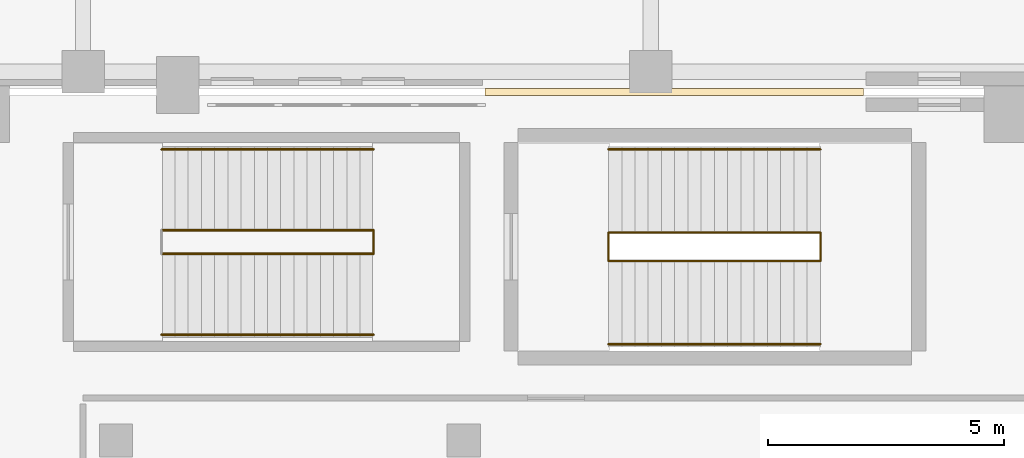
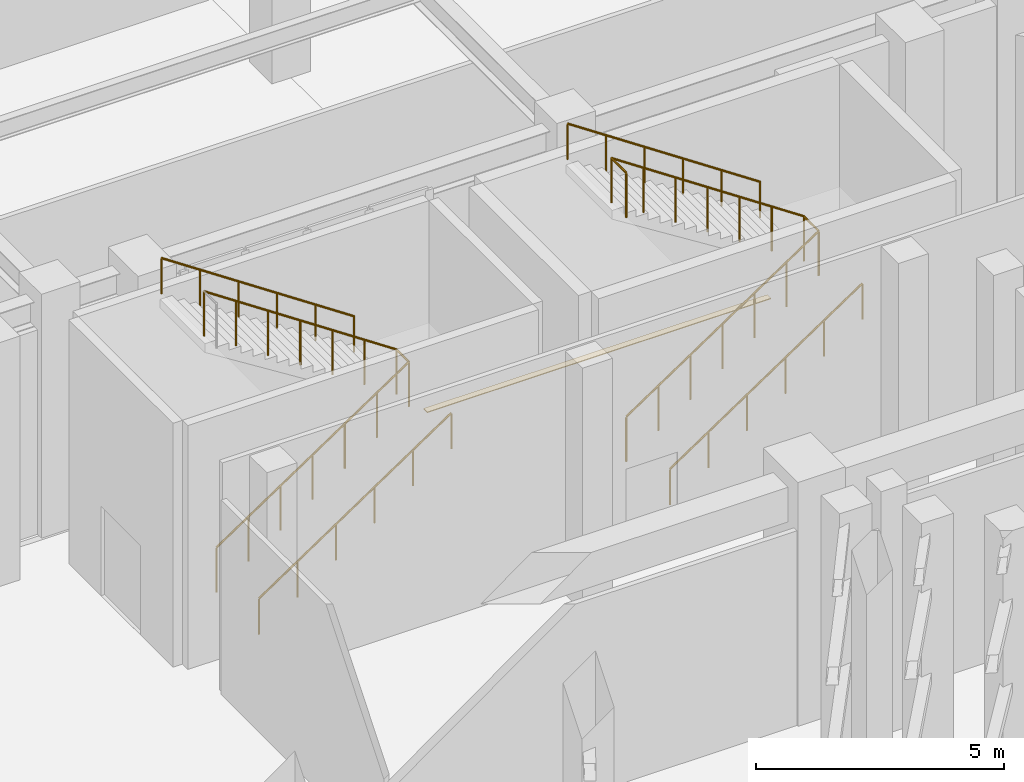
# One storey, part 136 of 143: 7 railings, 1 covering.
"""IFC4 building model written with IfcOpenShell, lengths in metres."""

from ifc_helpers import new_model, si_unit, derived_unit, direction, frame, origin, origin_2d, place, context, subcontext, project, spatial, polyline, circle, outline, extrude, material, layer, layer_set, type_object, element, save


model = new_model("IFC4")

# Units and contexts
model_context = context("Model", 3, precision=1e-05, world=origin(), true_north=direction((0.0, 1.0)))
body_context = subcontext(model_context, "Body", "Model", "MODEL_VIEW")
ifc_project = project(units=[si_unit("LENGTHUNIT", "METRE"), si_unit("AREAUNIT", "SQUARE_METRE"), si_unit("VOLUMEUNIT", "CUBIC_METRE"), si_unit("PLANEANGLEUNIT", "RADIAN"), si_unit("MASSUNIT", "GRAM", prefix="KILO"), derived_unit("THERMALTRANSMITTANCEUNIT", [(si_unit("MASSUNIT", "GRAM", prefix="KILO"), 1), (si_unit("TIMEUNIT", "SECOND"), -3), (si_unit("THERMODYNAMICTEMPERATUREUNIT", "KELVIN"), -1)])], contexts=[model_context])

# Site, building, storey
site_placement = place(None, origin())
site = spatial("IfcSite", under=ifc_project, at=site_placement, CompositionType="ELEMENT")
building_placement = place(site_placement, origin())
building = spatial("IfcBuilding", under=site, at=building_placement, Name="Valcora Ridge Arena", CompositionType="ELEMENT")
storey_placement = place(building_placement, origin())
storey = spatial("IfcBuildingStorey", under=building, at=storey_placement, Name="L00", CompositionType="ELEMENT", Elevation=0.0)

# Covering
ifc_material_1 = material(Name="Steel ASTM A572 Grade 50", Category="steel")
ifc_layer = layer(ifc_material_1, 0.02001953125, Name="Steel ASTM A572 Grade 50")
ifc_layer_set = layer_set([ifc_layer], Name="Steel ASTM A572 Grade 50")
covering_type = type_object("IfcCoveringType", Name="TY-COVERING-COV-SJ-150", PredefinedType="FLOORING", material=ifc_layer_set)
covering_placement = place(storey_placement, frame((0.0, 0.0, -0.02001953125)))
element("IfcCovering", 1, at=covering_placement, inside=storey, type_object=covering_type, Name="COV-SJ-150 COV-SJ-0019", PredefinedType="FLOORING", context=body_context, shape_type="SweptSolid", body=[
    extrude(outline(polyline([(80.5, 108.199951171875), (88.5, 108.199951171875), (88.5, 108.35009765625), (80.5, 108.35009765625), (80.5, 108.199951171875)])), origin(), (0.0, 0.0, 1.0), 0.02001953125),
])

# Railings
ifc_material_2 = material(Name="Galvanized painted steel ASTM A500 Grade B", Category="steel")
railing_type_1 = type_object("IfcRailingType", Name="TY-RAILING-GRD-STAIR-1120", PredefinedType="GUARDRAIL", material=ifc_material_2)
railing_1_placement = place(storey_placement, frame((83.110107421875, 104.699951171875, 0.0)))
element("IfcRailing", 2, at=railing_1_placement, inside=storey, type_object=railing_type_1, Name="GRD-STAIR-1120 RAL-SG-0037", PredefinedType="GUARDRAIL", context=body_context, shape_type="SweptSolid", body=[
    extrude(circle(Radius=0.02392578125, at=origin_2d()), frame((0.0, 0.0, 1.09619140625), z_axis=(0.830906055479, 0.0, 0.556412730775), x_axis=(0.0, 1.0, 0.0)), (0.0, 0.0, 1.0), 5.3916015625),
    extrude(circle(Radius=0.02392578125, at=origin_2d()), frame((4.47998046875, 0.0, 4.09619140625), z_axis=(0.0, 1.0, 0.0), x_axis=(-1.0, 0.0, 0.0)), (0.0, 0.0, 1.0), 0.60009765625),
    extrude(circle(Radius=0.02392578125, at=origin_2d()), frame((4.47998046875, 0.60009765625, 4.09619140625), z_axis=(-0.830906055479, 0.0, 0.556412730775), x_axis=(0.0, -1.0, 0.0)), (0.0, 0.0, 1.0), 5.3916015625),
    extrude(circle(Radius=0.02099609375, at=origin_2d()), origin(), (0.0, 0.0, 1.0), 1.072021484375),
    extrude(circle(Radius=0.02099609375, at=origin_2d()), frame((0.74658203125, 0.0, 0.5)), (0.0, 0.0, 1.0), 1.072021484375),
    extrude(circle(Radius=0.02099609375, at=origin_2d()), frame((1.493408203125, 0.0, 1.0)), (0.0, 0.0, 1.0), 1.072021484375),
    extrude(circle(Radius=0.02099609375, at=origin_2d()), frame((2.239990234375, 0.0, 1.5)), (0.0, 0.0, 1.0), 1.072021484375),
    extrude(circle(Radius=0.02099609375, at=origin_2d()), frame((2.986572265625, 0.0, 2.0)), (0.0, 0.0, 1.0), 1.072021484375),
    extrude(circle(Radius=0.02099609375, at=origin_2d()), frame((3.7333984375, 0.0, 2.5)), (0.0, 0.0, 1.0), 1.072021484375),
    extrude(circle(Radius=0.02099609375, at=origin_2d()), frame((4.47998046875, 0.0, 3.0)), (0.0, 0.0, 1.0), 1.072021484375),
    extrude(circle(Radius=0.02099609375, at=origin_2d()), frame((4.47998046875, 0.60009765625, 3.0)), (0.0, 0.0, 1.0), 1.072021484375),
    extrude(circle(Radius=0.02099609375, at=origin_2d()), frame((3.7333984375, 0.60009765625, 3.5)), (0.0, 0.0, 1.0), 1.072021484375),
    extrude(circle(Radius=0.02099609375, at=origin_2d()), frame((2.986572265625, 0.60009765625, 4.0)), (0.0, 0.0, 1.0), 1.072021484375),
    extrude(circle(Radius=0.02099609375, at=origin_2d()), frame((2.239990234375, 0.60009765625, 4.5)), (0.0, 0.0, 1.0), 1.072021484375),
    extrude(circle(Radius=0.02099609375, at=origin_2d()), frame((1.493408203125, 0.60009765625, 5.0)), (0.0, 0.0, 1.0), 1.072021484375),
    extrude(circle(Radius=0.02099609375, at=origin_2d()), frame((0.74658203125, 0.60009765625, 5.5)), (0.0, 0.0, 1.0), 1.072021484375),
    extrude(circle(Radius=0.02099609375, at=origin_2d()), frame((0.0, 0.60009765625, 6.0)), (0.0, 0.0, 1.0), 1.072021484375),
])
railing_2_placement = place(storey_placement, frame((83.110107421875, 104.699951171875, 6.0)))
element("IfcRailing", 3, at=railing_2_placement, inside=storey, type_object=railing_type_1, Name="GRD-STAIR-1120 RAL-SG-0038", PredefinedType="GUARDRAIL", context=body_context, shape_type="SweptSolid", body=[
    extrude(circle(Radius=0.02392578125, at=origin_2d()), frame((0.0, 0.0, 1.09619140625), z_axis=(0.0, 1.0, 0.0), x_axis=(-1.0, 0.0, 0.0)), (0.0, 0.0, 1.0), 0.60009765625),
    extrude(circle(Radius=0.02099609375, at=origin_2d()), origin(), (0.0, 0.0, 1.0), 1.072021484375),
    extrude(circle(Radius=0.02099609375, at=origin_2d()), frame((0.0, 0.60009765625, 0.0)), (0.0, 0.0, 1.0), 1.072021484375),
])
railing_3_placement = place(storey_placement, frame((73.659912109375, 104.85009765625, 0.0)))
element("IfcRailing", 4, at=railing_3_placement, inside=storey, type_object=railing_type_1, Name="GRD-STAIR-1120 RAL-SG-0121", PredefinedType="GUARDRAIL", context=body_context, shape_type="SweptSolid", body=[
    extrude(circle(Radius=0.02392578125, at=origin_2d()), frame((0.0, 0.0, 1.09619140625), z_axis=(0.830906055479, 0.0, 0.556412730775), x_axis=(0.0, 1.0, 0.0)), (0.0, 0.0, 1.0), 5.3916015625),
    extrude(circle(Radius=0.02392578125, at=origin_2d()), frame((4.47998046875, 0.0, 4.09619140625), z_axis=(0.0, 1.0, 0.0), x_axis=(-1.0, 0.0, 0.0)), (0.0, 0.0, 1.0), 0.5),
    extrude(circle(Radius=0.02392578125, at=origin_2d()), frame((4.47998046875, 0.5, 4.09619140625), z_axis=(-0.830906055479, 0.0, 0.556412730775), x_axis=(0.0, -1.0, 0.0)), (0.0, 0.0, 1.0), 5.3916015625),
    extrude(circle(Radius=0.02099609375, at=origin_2d()), origin(), (0.0, 0.0, 1.0), 1.072021484375),
    extrude(circle(Radius=0.02099609375, at=origin_2d()), frame((0.74658203125, 0.0, 0.5)), (0.0, 0.0, 1.0), 1.072021484375),
    extrude(circle(Radius=0.02099609375, at=origin_2d()), frame((1.493408203125, 0.0, 1.0)), (0.0, 0.0, 1.0), 1.072021484375),
    extrude(circle(Radius=0.02099609375, at=origin_2d()), frame((2.239990234375, 0.0, 1.5)), (0.0, 0.0, 1.0), 1.072021484375),
    extrude(circle(Radius=0.02099609375, at=origin_2d()), frame((2.986572265625, 0.0, 2.0)), (0.0, 0.0, 1.0), 1.072021484375),
    extrude(circle(Radius=0.02099609375, at=origin_2d()), frame((3.7333984375, 0.0, 2.5)), (0.0, 0.0, 1.0), 1.072021484375),
    extrude(circle(Radius=0.02099609375, at=origin_2d()), frame((4.47998046875, 0.0, 3.0)), (0.0, 0.0, 1.0), 1.072021484375),
    extrude(circle(Radius=0.02099609375, at=origin_2d()), frame((4.47998046875, 0.5, 3.0)), (0.0, 0.0, 1.0), 1.072021484375),
    extrude(circle(Radius=0.02099609375, at=origin_2d()), frame((3.7333984375, 0.5, 3.5)), (0.0, 0.0, 1.0), 1.072021484375),
    extrude(circle(Radius=0.02099609375, at=origin_2d()), frame((2.986572265625, 0.5, 4.0)), (0.0, 0.0, 1.0), 1.072021484375),
    extrude(circle(Radius=0.02099609375, at=origin_2d()), frame((2.239990234375, 0.5, 4.5)), (0.0, 0.0, 1.0), 1.072021484375),
    extrude(circle(Radius=0.02099609375, at=origin_2d()), frame((1.493408203125, 0.5, 5.0)), (0.0, 0.0, 1.0), 1.072021484375),
    extrude(circle(Radius=0.02099609375, at=origin_2d()), frame((0.74658203125, 0.5, 5.5)), (0.0, 0.0, 1.0), 1.072021484375),
    extrude(circle(Radius=0.02099609375, at=origin_2d()), frame((0.0, 0.5, 6.0)), (0.0, 0.0, 1.0), 1.072021484375),
])
railing_type_2 = type_object("IfcRailingType", Name="TY-RAILING-HR-STAIR-900", PredefinedType="HANDRAIL", material=ifc_material_2)
railing_4_placement = place(storey_placement, frame((83.110107421875, 102.93994140625, 0.0)))
element("IfcRailing", 5, at=railing_4_placement, inside=storey, type_object=railing_type_2, Name="HR-STAIR-900 RAL-SH-0037", PredefinedType="HANDRAIL", context=body_context, shape_type="SweptSolid", body=[
    extrude(circle(Radius=0.02392578125, at=origin_2d()), frame((0.0, 0.0, 0.8759765625), z_axis=(0.830906055479, 0.0, 0.556412730775), x_axis=(0.0, 1.0, 0.0)), (0.0, 0.0, 1.0), 5.3916015625),
    extrude(circle(Radius=0.02099609375, at=origin_2d()), origin(), (0.0, 0.0, 1.0), 0.851806640625),
    extrude(circle(Radius=0.02099609375, at=origin_2d()), frame((0.89599609375, 0.0, 0.60009765625)), (0.0, 0.0, 1.0), 0.851806640625),
    extrude(circle(Radius=0.02099609375, at=origin_2d()), frame((1.7919921875, 0.0, 1.199951171875)), (0.0, 0.0, 1.0), 0.851806640625),
    extrude(circle(Radius=0.02099609375, at=origin_2d()), frame((2.68798828125, 0.0, 1.800048828125)), (0.0, 0.0, 1.0), 0.851806640625),
    extrude(circle(Radius=0.02099609375, at=origin_2d()), frame((3.583984375, 0.0, 2.39990234375)), (0.0, 0.0, 1.0), 0.851806640625),
    extrude(circle(Radius=0.02099609375, at=origin_2d()), frame((4.47998046875, 0.0, 3.0)), (0.0, 0.0, 1.0), 0.851806640625),
])
railing_5_placement = place(storey_placement, frame((87.590087890625, 107.06005859375, 3.0)))
element("IfcRailing", 6, at=railing_5_placement, inside=storey, type_object=railing_type_2, Name="HR-STAIR-900 RAL-SH-0038", PredefinedType="HANDRAIL", context=body_context, shape_type="SweptSolid", body=[
    extrude(circle(Radius=0.02392578125, at=origin_2d()), frame((0.0, 0.0, 0.8759765625), z_axis=(-0.830906055479, 0.0, 0.556412730775), x_axis=(0.0, -1.0, 0.0)), (0.0, 0.0, 1.0), 5.3916015625),
    extrude(circle(Radius=0.02099609375, at=origin_2d()), origin(), (0.0, 0.0, 1.0), 0.851806640625),
    extrude(circle(Radius=0.02099609375, at=origin_2d()), frame((-0.89599609375, 0.0, 0.60009765625)), (0.0, 0.0, 1.0), 0.851806640625),
    extrude(circle(Radius=0.02099609375, at=origin_2d()), frame((-1.7919921875, 0.0, 1.199951171875)), (0.0, 0.0, 1.0), 0.851806640625),
    extrude(circle(Radius=0.02099609375, at=origin_2d()), frame((-2.68798828125, 0.0, 1.800048828125)), (0.0, 0.0, 1.0), 0.851806640625),
    extrude(circle(Radius=0.02099609375, at=origin_2d()), frame((-3.583984375, 0.0, 2.39990234375)), (0.0, 0.0, 1.0), 0.851806640625),
    extrude(circle(Radius=0.02099609375, at=origin_2d()), frame((-4.47998046875, 0.0, 3.0)), (0.0, 0.0, 1.0), 0.851806640625),
])
railing_6_placement = place(storey_placement, frame((73.659912109375, 103.139892578125, 0.0)))
element("IfcRailing", 7, at=railing_6_placement, inside=storey, type_object=railing_type_2, Name="HR-STAIR-900 RAL-SH-0121", PredefinedType="HANDRAIL", context=body_context, shape_type="SweptSolid", body=[
    extrude(circle(Radius=0.02392578125, at=origin_2d()), frame((0.0, 0.0, 0.8759765625), z_axis=(0.830906055479, 0.0, 0.556412730775), x_axis=(0.0, 1.0, 0.0)), (0.0, 0.0, 1.0), 5.3916015625),
    extrude(circle(Radius=0.02099609375, at=origin_2d()), origin(), (0.0, 0.0, 1.0), 0.851806640625),
    extrude(circle(Radius=0.02099609375, at=origin_2d()), frame((0.89599609375, 0.0, 0.60009765625)), (0.0, 0.0, 1.0), 0.851806640625),
    extrude(circle(Radius=0.02099609375, at=origin_2d()), frame((1.7919921875, 0.0, 1.199951171875)), (0.0, 0.0, 1.0), 0.851806640625),
    extrude(circle(Radius=0.02099609375, at=origin_2d()), frame((2.68798828125, 0.0, 1.800048828125)), (0.0, 0.0, 1.0), 0.851806640625),
    extrude(circle(Radius=0.02099609375, at=origin_2d()), frame((3.583984375, 0.0, 2.39990234375)), (0.0, 0.0, 1.0), 0.851806640625),
    extrude(circle(Radius=0.02099609375, at=origin_2d()), frame((4.47998046875, 0.0, 3.0)), (0.0, 0.0, 1.0), 0.851806640625),
])
railing_7_placement = place(storey_placement, frame((78.139892578125, 107.06005859375, 3.0)))
element("IfcRailing", 8, at=railing_7_placement, inside=storey, type_object=railing_type_2, Name="HR-STAIR-900 RAL-SH-0122", PredefinedType="HANDRAIL", context=body_context, shape_type="SweptSolid", body=[
    extrude(circle(Radius=0.02392578125, at=origin_2d()), frame((0.0, 0.0, 0.8759765625), z_axis=(-0.830906055479, 0.0, 0.556412730775), x_axis=(0.0, -1.0, 0.0)), (0.0, 0.0, 1.0), 5.3916015625),
    extrude(circle(Radius=0.02099609375, at=origin_2d()), origin(), (0.0, 0.0, 1.0), 0.851806640625),
    extrude(circle(Radius=0.02099609375, at=origin_2d()), frame((-0.89599609375, 0.0, 0.60009765625)), (0.0, 0.0, 1.0), 0.851806640625),
    extrude(circle(Radius=0.02099609375, at=origin_2d()), frame((-1.7919921875, 0.0, 1.199951171875)), (0.0, 0.0, 1.0), 0.851806640625),
    extrude(circle(Radius=0.02099609375, at=origin_2d()), frame((-2.68798828125, 0.0, 1.800048828125)), (0.0, 0.0, 1.0), 0.851806640625),
    extrude(circle(Radius=0.02099609375, at=origin_2d()), frame((-3.583984375, 0.0, 2.39990234375)), (0.0, 0.0, 1.0), 0.851806640625),
    extrude(circle(Radius=0.02099609375, at=origin_2d()), frame((-4.47998046875, 0.0, 3.0)), (0.0, 0.0, 1.0), 0.851806640625),
])

save(model, "model.ifc")
